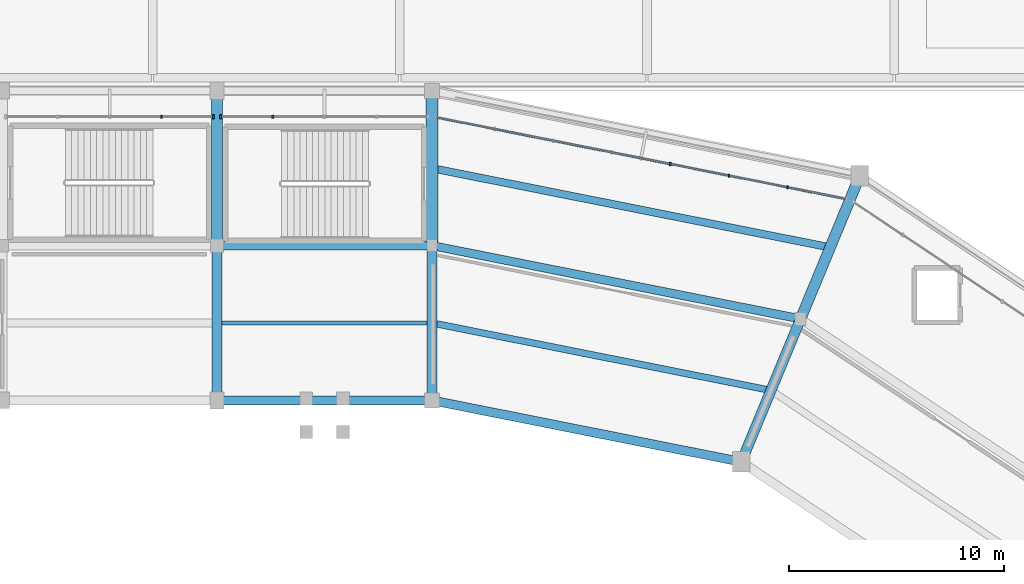
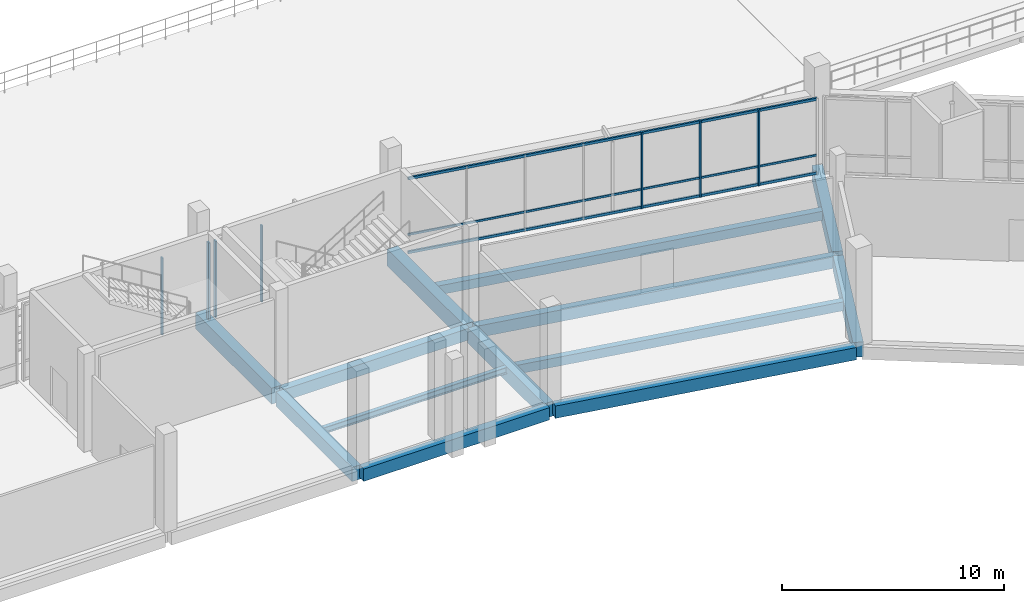
# One storey, part 55 of 111: 13 beams, 10 members, 3 elements without a shape of their own.
"""IFC4 building model written with IfcOpenShell, lengths in metres."""

from ifc_helpers import new_model, si_unit, direction, frame, origin, origin_2d, place, context, subcontext, project, spatial, rectangle, i_section, extrude, material, material_profile, profile_set, type_object, element, aggregate, save


model = new_model("IFC4")

# Units and contexts
model_context = context("Model", 3, precision=1e-05, world=origin(), true_north=direction((0.0, 1.0)))
body_context = subcontext(model_context, "Body", "Model", "MODEL_VIEW")
ifc_project = project(units=[si_unit("LENGTHUNIT", "METRE"), si_unit("AREAUNIT", "SQUARE_METRE"), si_unit("VOLUMEUNIT", "CUBIC_METRE"), si_unit("PLANEANGLEUNIT", "RADIAN"), si_unit("MASSUNIT", "GRAM", prefix="KILO")], contexts=[model_context])

# Site, building, storey
site_placement = place(None, origin())
site = spatial("IfcSite", under=ifc_project, at=site_placement, CompositionType="ELEMENT")
building_placement = place(site_placement, origin())
building = spatial("IfcBuilding", under=site, at=building_placement, Name="Candeia Ridge Stadium", CompositionType="ELEMENT")
storey_placement = place(building_placement, frame((0.0, 0.0, 16.199951171875)))
storey = spatial("IfcBuildingStorey", under=building, at=storey_placement, Name="L03", CompositionType="ELEMENT", Elevation=16.199951171875)

# Beam
ifc_material_1 = material(Name="Steel ASTM A572 Grade 50", Category="steel")
ifc_material_profile_1 = material_profile(ifc_material_1, i_section(OverallWidth=0.205078125, OverallDepth=0.35400390625, WebThickness=0.009521484375, FlangeThickness=0.016845703125, FilletRadius=0.014892578125, at=origin_2d()), Name="W360x79", Category="steel")
ifc_profile_set_1 = profile_set([ifc_material_profile_1], Name="Steel ASTM A572 Grade 50")
beam_type_1 = type_object("IfcBeamType", Name="Concourse Secondary Joist W360x79", PredefinedType="JOIST", material=ifc_profile_set_1)
beam_1_placement = place(storey_placement, frame((140.778076171875, 136.199951171875, -0.427001953125), z_axis=(-1.0, 0.0, 0.0), x_axis=(0.0, -1.0, 0.0)))
element("IfcBeam", 1, at=beam_1_placement, inside=storey, type_object=beam_type_1, Name="Concourse secondary joist BM-L03-0556", PredefinedType="JOIST", context=body_context, shape_type="SweptSolid", body=[
    extrude(i_section(OverallWidth=0.205078125, OverallDepth=0.35400390625, WebThickness=0.009521484375, FlangeThickness=0.016845703125, FilletRadius=0.014892578125, at=origin_2d()), origin(), (0.0, 0.0, 1.0), 9.55615234375),
])

# Curtain wall, member
ifc_material_2 = material(Name="Aluminium Anodized Warm Bronze", Category="aluminium")
curtain_wall_type = type_object("IfcCurtainWallType", Name="Concourse Recessed Unitised Curtain Wall", PredefinedType="NOTDEFINED", material=ifc_material_2)
curtain_wall_1_placement = place(storey_placement, origin())
curtain_wall_1 = element("IfcCurtainWall", 2, at=curtain_wall_1_placement, inside=storey, type_object=curtain_wall_type, Name="Unitised curtain wall CW-BWL-L03-00", PredefinedType="NOTDEFINED")
ifc_material_profile_2 = material_profile(ifc_material_2, rectangle(XDim=0.090087890625, YDim=0.179931640625, at=origin_2d()), Name="CWM-90x180", Category="aluminium")
ifc_profile_set_2 = profile_set([ifc_material_profile_2], Name="Aluminium Anodized Warm Bronze")
member_type_1 = type_object("IfcMemberType", Name="Curtain Wall Primary Mullion 90x180", PredefinedType="MULLION", material=ifc_profile_set_2)
member_1_placement = place(storey_placement, frame((131.179931640625, 145.800048828125, 0.0), z_axis=(0.0, 0.0, 1.0), x_axis=(1.0, 0.0, 0.0)))
member_1 = element("IfcMember", 3, at=member_1_placement, type_object=member_type_1, Name="Curtain wall mullion CW-BWL-L03-00-M4", PredefinedType="MULLION", context=body_context, shape_type="SweptSolid", body=[
    extrude(rectangle(XDim=0.090087890625, YDim=0.179931640625, at=origin_2d()), origin(), (0.0, 0.0, 1.0), 4.205078125),
])

curtain_wall_2_placement = place(storey_placement, origin())
curtain_wall_2 = element("IfcCurtainWall", 4, at=curtain_wall_2_placement, inside=storey, type_object=curtain_wall_type, Name="Unitised curtain wall CW-BWL-L03-01", PredefinedType="NOTDEFINED")
member_2_placement = place(storey_placement, frame((130.820068359375, 145.800048828125, 0.0), z_axis=(0.0, 0.0, 1.0), x_axis=(1.0, 0.0, 0.0)))
member_2 = element("IfcMember", 5, at=member_2_placement, type_object=member_type_1, Name="Curtain wall mullion CW-BWL-L03-01-M0", PredefinedType="MULLION", context=body_context, shape_type="SweptSolid", body=[
    extrude(rectangle(XDim=0.090087890625, YDim=0.179931640625, at=origin_2d()), origin(), (0.0, 0.0, 1.0), 4.2451171875),
])

# Member
ifc_material_profile_3 = material_profile(ifc_material_2, rectangle(XDim=0.074951171875, YDim=0.14990234375, at=origin_2d()), Name="CWM-75x150", Category="aluminium")
ifc_profile_set_3 = profile_set([ifc_material_profile_3], Name="Aluminium Anodized Warm Bronze")
member_type_2 = type_object("IfcMemberType", Name="Curtain Wall Secondary Mullion 75x150", PredefinedType="MULLION", material=ifc_profile_set_3)
member_3_placement = place(storey_placement, frame((133.590087890625, 145.800048828125, 0.0), z_axis=(0.0, 0.0, 1.0), x_axis=(1.0, 0.0, 0.0)))
member_3 = element("IfcMember", 6, at=member_3_placement, type_object=member_type_2, Name="Curtain wall mullion CW-BWL-L03-00-M3", PredefinedType="MULLION", context=body_context, shape_type="SweptSolid", body=[
    extrude(rectangle(XDim=0.074951171875, YDim=0.14990234375, at=origin_2d()), origin(), (0.0, 0.0, 1.0), 4.205078125),
])

aggregate(curtain_wall_1, [member_3, member_1])

member_4_placement = place(storey_placement, frame((128.409912109375, 145.800048828125, 0.0), z_axis=(0.0, 0.0, 1.0), x_axis=(1.0, 0.0, 0.0)))
member_4 = element("IfcMember", 7, at=member_4_placement, type_object=member_type_2, Name="Curtain wall mullion CW-BWL-L03-01-M1", PredefinedType="MULLION", context=body_context, shape_type="SweptSolid", body=[
    extrude(rectangle(XDim=0.074951171875, YDim=0.14990234375, at=origin_2d()), origin(), (0.0, 0.0, 1.0), 4.2451171875),
])

aggregate(curtain_wall_2, [member_2, member_4])

# Curtain wall, members
curtain_wall_3_placement = place(storey_placement, origin())
curtain_wall_3 = element("IfcCurtainWall", 8, at=curtain_wall_3_placement, inside=storey, type_object=curtain_wall_type, Name="Unitised curtain wall CW-BWL-L03-35", PredefinedType="NOTDEFINED")
member_5_placement = place(storey_placement, frame((157.537109375, 142.510498046875, 0.0), z_axis=(0.0, 0.0, 1.0), x_axis=(1.0, 0.0, 0.0)))
member_5 = element("IfcMember", 9, at=member_5_placement, type_object=member_type_2, Name="Curtain wall mullion CW-BWL-L03-35-M1", PredefinedType="MULLION", context=body_context, shape_type="SweptSolid", body=[
    extrude(rectangle(XDim=0.074951171875, YDim=0.14990234375, at=origin_2d()), origin(), (0.0, 0.0, 1.0), 4.205078125),
])
member_6_placement = place(storey_placement, frame((154.810302734375, 143.052978515625, 0.0), z_axis=(0.0, 0.0, 1.0), x_axis=(1.0, 0.0, 0.0)))
member_6 = element("IfcMember", 10, at=member_6_placement, type_object=member_type_2, Name="Curtain wall mullion CW-BWL-L03-35-M2", PredefinedType="MULLION", context=body_context, shape_type="SweptSolid", body=[
    extrude(rectangle(XDim=0.074951171875, YDim=0.14990234375, at=origin_2d()), origin(), (0.0, 0.0, 1.0), 4.205078125),
])
member_7_placement = place(storey_placement, frame((152.08349609375, 143.595458984375, 0.0), z_axis=(0.0, 0.0, 1.0), x_axis=(1.0, 0.0, 0.0)))
member_7 = element("IfcMember", 11, at=member_7_placement, type_object=member_type_2, Name="Curtain wall mullion CW-BWL-L03-35-M3", PredefinedType="MULLION", context=body_context, shape_type="SweptSolid", body=[
    extrude(rectangle(XDim=0.074951171875, YDim=0.14990234375, at=origin_2d()), origin(), (0.0, 0.0, 1.0), 4.205078125),
])
ifc_material_profile_4 = material_profile(ifc_material_2, rectangle(XDim=0.074951171875, YDim=0.110107421875, at=origin_2d()), Name="CWT-75x110", Category="aluminium")
ifc_profile_set_4 = profile_set([ifc_material_profile_4], Name="Aluminium Anodized Warm Bronze")
member_type_3 = type_object("IfcMemberType", Name="Curtain Wall Secondary Transom 75x110", PredefinedType="USERDEFINED", material=ifc_profile_set_4)
member_8_placement = place(storey_placement, frame((160.263916015625, 141.96826171875, 1.05126953125), z_axis=(-0.980786160623, 0.195085896803, 0.0), x_axis=(-0.195085896803, -0.980786160623, 0.0)))
member_8 = element("IfcMember", 12, at=member_8_placement, type_object=member_type_3, Name="Curtain wall transom CW-BWL-L03-35-T1", ObjectType="TRANSOM", PredefinedType="USERDEFINED", context=body_context, shape_type="SweptSolid", body=[
    extrude(rectangle(XDim=0.074951171875, YDim=0.110107421875, at=origin_2d()), origin(), (0.0, 0.0, 1.0), 19.46142578125),
])
ifc_material_profile_5 = material_profile(ifc_material_2, rectangle(XDim=0.090087890625, YDim=0.139892578125, at=origin_2d()), Name="CWT-90x140", Category="aluminium")
ifc_profile_set_5 = profile_set([ifc_material_profile_5], Name="Aluminium Anodized Warm Bronze")
member_type_4 = type_object("IfcMemberType", Name="Curtain Wall Transom 90x140", PredefinedType="USERDEFINED", material=ifc_profile_set_5)
member_9_placement = place(storey_placement, frame((160.263916015625, 141.96826171875, 0.070068359375), z_axis=(-0.980786160623, 0.195085896803, 0.0), x_axis=(-0.195085896803, -0.980786160623, 0.0)))
member_9 = element("IfcMember", 13, at=member_9_placement, type_object=member_type_4, Name="Curtain wall transom CW-BWL-L03-35-T0", ObjectType="TRANSOM", PredefinedType="USERDEFINED", context=body_context, shape_type="SweptSolid", body=[
    extrude(rectangle(XDim=0.090087890625, YDim=0.139892578125, at=origin_2d()), origin(), (0.0, 0.0, 1.0), 19.46142578125),
])
member_10_placement = place(storey_placement, frame((160.263916015625, 141.96826171875, 4.135009765625), z_axis=(-0.980786160623, 0.195085896803, 0.0), x_axis=(-0.195085896803, -0.980786160623, 0.0)))
member_10 = element("IfcMember", 14, at=member_10_placement, type_object=member_type_4, Name="Curtain wall transom CW-BWL-L03-35-T2", ObjectType="TRANSOM", PredefinedType="USERDEFINED", context=body_context, shape_type="SweptSolid", body=[
    extrude(rectangle(XDim=0.090087890625, YDim=0.139892578125, at=origin_2d()), origin(), (0.0, 0.0, 1.0), 19.46142578125),
])
aggregate(curtain_wall_3, [member_5, member_6, member_7, member_9, member_8, member_10])

# Beams
ifc_material_3 = material(Name="Concrete C40/50", Category="concrete")
ifc_material_profile_6 = material_profile(ifc_material_3, rectangle(XDim=0.31005859375, YDim=0.489990234375, at=origin_2d()), Name="RC310x490", Category="concrete")
ifc_profile_set_6 = profile_set([ifc_material_profile_6], Name="Concrete C40/50")
beam_type_2 = type_object("IfcBeamType", Name="Floor Joist RC310x490", PredefinedType="JOIST", material=ifc_profile_set_6)
beam_2_placement = place(storey_placement, frame((156.548828125, 133.107177734375, -0.494873046875), z_axis=(-0.980784984607, 0.195091809076, 0.0), x_axis=(-0.195091809076, -0.980784984607, 0.0)))
element("IfcBeam", 15, at=beam_2_placement, inside=storey, type_object=beam_type_2, Name="Concourse secondary joist BM-L03-0719", PredefinedType="JOIST", context=body_context, shape_type="SweptSolid", body=[
    extrude(rectangle(XDim=0.31005859375, YDim=0.489990234375, at=origin_2d()), origin(), (0.0, 0.0, 1.0), 15.63134765625),
])
ifc_material_profile_7 = material_profile(ifc_material_3, rectangle(XDim=0.35009765625, YDim=0.5, at=origin_2d()), Name="RC350x500", Category="concrete")
ifc_profile_set_7 = profile_set([ifc_material_profile_7], Name="Concrete C40/50")
beam_type_3 = type_object("IfcBeamType", Name="Floor Joist RC350x500", PredefinedType="JOIST", material=ifc_profile_set_7)
beam_3_placement = place(storey_placement, frame((159.30419921875, 139.759033203125, -0.5), z_axis=(-0.980784839623, 0.195092537954, 0.0), x_axis=(-0.195092537954, -0.980784839623, 0.0)))
element("IfcBeam", 16, at=beam_3_placement, inside=storey, type_object=beam_type_3, Name="Concourse secondary joist BM-L03-0720", PredefinedType="JOIST", context=body_context, shape_type="SweptSolid", body=[
    extrude(rectangle(XDim=0.35009765625, YDim=0.5, at=origin_2d()), origin(), (0.0, 0.0, 1.0), 18.440673828125),
])
ifc_material_profile_8 = material_profile(ifc_material_3, rectangle(XDim=0.389892578125, YDim=0.639892578125, at=origin_2d()), Name="RC390x640", Category="concrete")
ifc_profile_set_8 = profile_set([ifc_material_profile_8], Name="Concrete C40/50")
beam_type_4 = type_object("IfcBeamType", Name="Frame Girder RC390x640", PredefinedType="BEAM", material=ifc_profile_set_8)
beam_4_placement = place(storey_placement, frame((140.840087890625, 139.800048828125, -0.570068359375), z_axis=(-1.0, 0.0, 0.0), x_axis=(0.0, -1.0, 0.0)))
element("IfcBeam", 17, at=beam_4_placement, inside=storey, type_object=beam_type_4, Name="Concourse spine girder BM-L03-0554", PredefinedType="BEAM", context=body_context, shape_type="SweptSolid", body=[
    extrude(rectangle(XDim=0.389892578125, YDim=0.639892578125, at=origin_2d()), origin(), (0.0, 0.0, 1.0), 9.68017578125),
])
beam_5_placement = place(storey_placement, frame((157.9873046875, 136.4208984375, -0.570068359375), z_axis=(-0.980783706548, 0.195098234154, 0.0), x_axis=(-0.195098234154, -0.980783706548, 0.0)))
element("IfcBeam", 18, at=beam_5_placement, inside=storey, type_object=beam_type_4, Name="Concourse spine girder BM-L03-0717", PredefinedType="BEAM", context=body_context, shape_type="SweptSolid", body=[
    extrude(rectangle(XDim=0.389892578125, YDim=0.639892578125, at=origin_2d()), origin(), (0.0, 0.0, 1.0), 17.16015625),
])
ifc_material_profile_9 = material_profile(ifc_material_3, rectangle(XDim=0.419921875, YDim=0.679931640625, at=origin_2d()), Name="RC420x680", Category="concrete")
ifc_profile_set_9 = profile_set([ifc_material_profile_9], Name="Concrete C40/50")
beam_type_5 = type_object("IfcBeamType", Name="Frame Girder RC420x680", PredefinedType="BEAM", material=ifc_profile_set_9)
beam_6_placement = place(storey_placement, frame((140.840087890625, 132.60009765625, -0.58984375), z_axis=(-1.0, 0.0, 0.0), x_axis=(0.0, -1.0, 0.0)))
element("IfcBeam", 19, at=beam_6_placement, inside=storey, type_object=beam_type_5, Name="Bowl inner ring girder BM-L03-0553", PredefinedType="BEAM", context=body_context, shape_type="SweptSolid", body=[
    extrude(rectangle(XDim=0.419921875, YDim=0.679931640625, at=origin_2d()), origin(), (0.0, 0.0, 1.0), 9.68017578125),
])
beam_7_placement = place(storey_placement, frame((155.23193359375, 129.76904296875, -0.58984375), z_axis=(-0.980783642657, 0.195098555341, 0.0), x_axis=(-0.195098555341, -0.980783642657, 0.0)))
element("IfcBeam", 20, at=beam_7_placement, inside=storey, type_object=beam_type_5, Name="Bowl inner ring girder BM-L03-0716", PredefinedType="BEAM", context=body_context, shape_type="SweptSolid", body=[
    extrude(rectangle(XDim=0.419921875, YDim=0.679931640625, at=origin_2d()), origin(), (0.0, 0.0, 1.0), 14.350830078125),
])
ifc_material_profile_10 = material_profile(ifc_material_3, rectangle(XDim=0.4599609375, YDim=0.780029296875, at=origin_2d()), Name="RC460x780", Category="concrete")
ifc_profile_set_10 = profile_set([ifc_material_profile_10], Name="Concrete C40/50")
beam_type_6 = type_object("IfcBeamType", Name="Frame Girder RC460x780", PredefinedType="BEAM", material=ifc_profile_set_10)
beam_8_placement = place(storey_placement, frame((131.0, 132.760009765625, -0.639892578125), z_axis=(0.0, 1.0, 0.0), x_axis=(-1.0, 0.0, 0.0)))
element("IfcBeam", 21, at=beam_8_placement, inside=storey, type_object=beam_type_6, Name="Bowl radial girder BM-L03-0483", PredefinedType="BEAM", context=body_context, shape_type="SweptSolid", body=[
    extrude(rectangle(XDim=0.4599609375, YDim=0.780029296875, at=origin_2d()), origin(), (0.0, 0.0, 1.0), 6.8798828125),
])
ifc_material_4 = material(Name="Concrete C45/55", Category="concrete")
ifc_material_profile_11 = material_profile(ifc_material_4, rectangle(XDim=0.47998046875, YDim=0.820068359375, at=origin_2d()), Name="RC480x820", Category="concrete")
ifc_profile_set_11 = profile_set([ifc_material_profile_11], Name="Concrete C45/55")
beam_type_7 = type_object("IfcBeamType", Name="Frame Girder RC480x820", PredefinedType="BEAM", material=ifc_profile_set_11)
for number, where, z_axis, x_axis, name in (
    (22, (141.0, 132.760009765625, -0.659912109375), (0.0, 1.0, 0.0), (-1.0, 0.0, 0.0), "Bowl radial girder BM-L03-0481"),
    (23, (155.4501953125, 129.8857421875, -0.659912109375), (0.382681914982, 0.923880161031, 0.0), (-0.923880161031, 0.382681914982, 0.0), "Bowl radial girder BM-L03-0551"),
):
    element("IfcBeam", number, at=place(storey_placement, frame(where, z_axis=z_axis, x_axis=x_axis)), inside=storey, type_object=beam_type_7, Name=name, PredefinedType="BEAM", context=body_context, shape_type="SweptSolid", body=[
        extrude(rectangle(XDim=0.47998046875, YDim=0.820068359375, at=origin_2d()), origin(), (0.0, 0.0, 1.0), 6.8798828125),
    ])
ifc_material_profile_12 = material_profile(ifc_material_4, rectangle(XDim=0.5, YDim=0.85009765625, at=origin_2d()), Name="RC500x850", Category="concrete")
ifc_profile_set_12 = profile_set([ifc_material_profile_12], Name="Concrete C45/55")
beam_type_8 = type_object("IfcBeamType", Name="Frame Girder RC500x850", PredefinedType="BEAM", material=ifc_profile_set_12)
beam_9_placement = place(storey_placement, frame((158.20556640625, 136.53759765625, -0.675048828125), z_axis=(0.382681914982, 0.923880161031, 0.0), x_axis=(-0.923880161031, 0.382681914982, 0.0)))
element("IfcBeam", 24, at=beam_9_placement, inside=storey, type_object=beam_type_8, Name="Bowl radial girder BM-L03-0552", PredefinedType="BEAM", context=body_context, shape_type="SweptSolid", body=[
    extrude(rectangle(XDim=0.5, YDim=0.85009765625, at=origin_2d()), origin(), (0.0, 0.0, 1.0), 6.8798828125),
])
ifc_material_profile_13 = material_profile(ifc_material_4, rectangle(XDim=0.52001953125, YDim=0.8798828125, at=origin_2d()), Name="RC520x880", Category="concrete")
ifc_profile_set_13 = profile_set([ifc_material_profile_13], Name="Concrete C45/55")
beam_type_9 = type_object("IfcBeamType", Name="Frame Girder RC520x880", PredefinedType="BEAM", material=ifc_profile_set_13)
beam_10_placement = place(storey_placement, frame((131.0, 139.9599609375, -0.68994140625), z_axis=(0.0, 1.0, 0.0), x_axis=(-1.0, 0.0, 0.0)))
element("IfcBeam", 25, at=beam_10_placement, inside=storey, type_object=beam_type_9, Name="Bowl radial girder BM-L03-0484", PredefinedType="BEAM", context=body_context, shape_type="SweptSolid", body=[
    extrude(rectangle(XDim=0.52001953125, YDim=0.8798828125, at=origin_2d()), origin(), (0.0, 0.0, 1.0), 6.880126953125),
])
ifc_material_profile_14 = material_profile(ifc_material_4, rectangle(XDim=0.550048828125, YDim=0.919921875, at=origin_2d()), Name="RC550x920", Category="concrete")
ifc_profile_set_14 = profile_set([ifc_material_profile_14], Name="Concrete C45/55")
beam_type_10 = type_object("IfcBeamType", Name="Frame Girder RC550x920", PredefinedType="BEAM", material=ifc_profile_set_14)
beam_11_placement = place(storey_placement, frame((141.0, 139.9599609375, -0.7099609375), z_axis=(0.0, 1.0, 0.0), x_axis=(-1.0, 0.0, 0.0)))
element("IfcBeam", 26, at=beam_11_placement, inside=storey, type_object=beam_type_10, Name="Bowl radial girder BM-L03-0482", PredefinedType="BEAM", context=body_context, shape_type="SweptSolid", body=[
    extrude(rectangle(XDim=0.550048828125, YDim=0.919921875, at=origin_2d()), origin(), (0.0, 0.0, 1.0), 6.880126953125),
])

save(model, "model.ifc")
